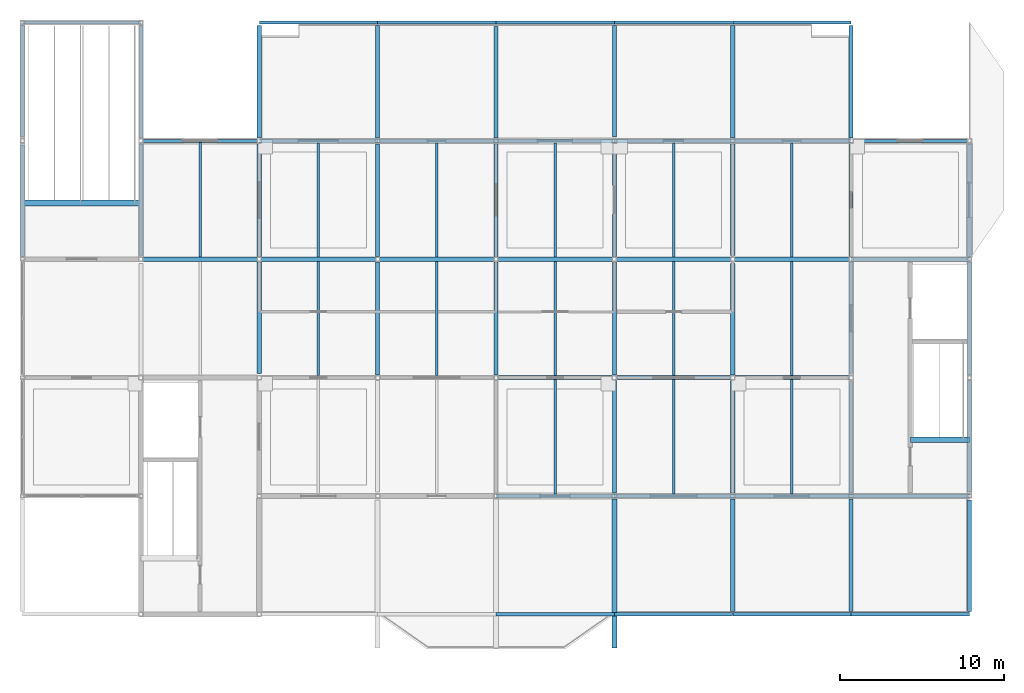
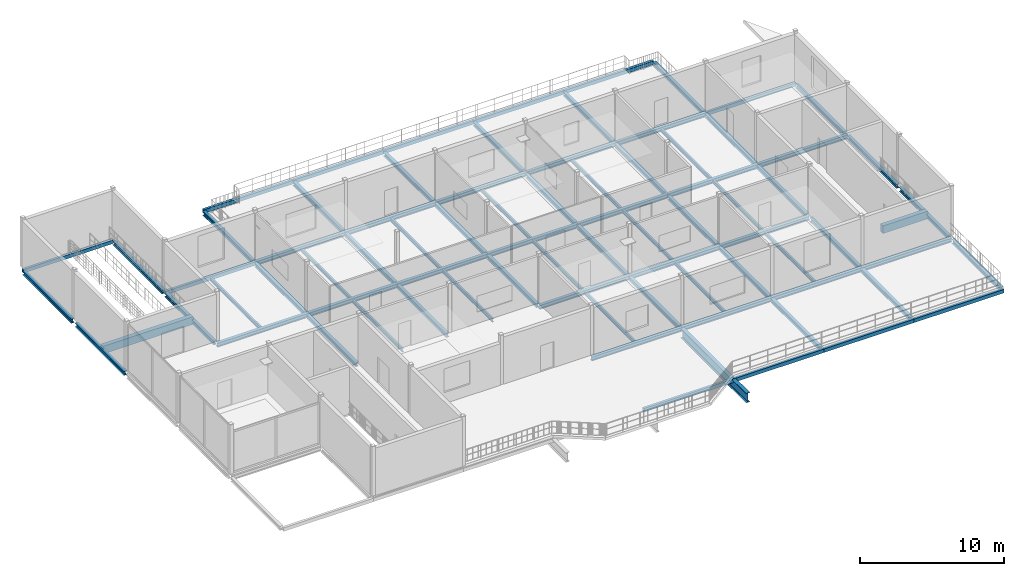
# One storey, part 10 of 18: 79 beams.
"""IFC4 building model written with IfcOpenShell, lengths in metres."""

from ifc_helpers import new_model, si_unit, direction, frame, origin, origin_2d, place, context, subcontext, project, spatial, rectangle, hollow_rectangle, i_section, extrude, material, material_profile, profile_set, type_object, element, save


model = new_model("IFC4")

# Units and contexts
model_context = context("Model", 3, precision=1e-05, world=origin(), true_north=direction((0.0, 1.0)))
body_context = subcontext(model_context, "Body", "Model", "MODEL_VIEW")
ifc_project = project(units=[si_unit("LENGTHUNIT", "METRE"), si_unit("AREAUNIT", "SQUARE_METRE"), si_unit("VOLUMEUNIT", "CUBIC_METRE"), si_unit("PLANEANGLEUNIT", "RADIAN"), si_unit("MASSUNIT", "GRAM", prefix="KILO")], contexts=[model_context])

# Site, building, storey
site_placement = place(None, origin())
site = spatial("IfcSite", under=ifc_project, at=site_placement, CompositionType="ELEMENT")
building_placement = place(site_placement, origin())
building = spatial("IfcBuilding", under=site, at=building_placement, Name="Vesperath Aquatics Centre", CompositionType="ELEMENT")
storey_placement = place(building_placement, frame((0.0, 0.0, 23.39990234375)))
storey = spatial("IfcBuildingStorey", under=building, at=storey_placement, Name="L05", CompositionType="ELEMENT", Elevation=23.39990234375)

# Beams
ifc_material_1 = material(Name="Concrete C35", Category="concrete")
ifc_material_profile_1 = material_profile(ifc_material_1, rectangle(XDim=0.35009765625, YDim=0.64990234375, at=origin_2d()), Name="RC 350x650")
ifc_profile_set_1 = profile_set([ifc_material_profile_1], Name="Concrete C35")
beam_type_1 = type_object("IfcBeamType", Name="BM-G05", PredefinedType="BEAM", material=ifc_profile_set_1)
beam_1_placement = place(storey_placement, frame((169.199951171875, 10.6201171875, -0.324951171875), z_axis=(1.0, 0.0, 0.0), x_axis=(0.0, 1.0, 0.0)))
element("IfcBeam", 1, at=beam_1_placement, inside=storey, type_object=beam_type_1, Name="Stair ST6 Landing Trimmer Beam B05 L05", PredefinedType="BEAM", context=body_context, shape_type="SweptSolid", body=[
    extrude(rectangle(XDim=0.35009765625, YDim=0.64990234375, at=origin_2d()), origin(), (0.0, 0.0, 1.0), 3.60009765625),
])
beam_2_placement = place(storey_placement, frame((115.199951171875, 25.02001953125, -0.324951171875), z_axis=(1.0, 0.0, 0.0), x_axis=(0.0, 1.0, 0.0)))
element("IfcBeam", 2, at=beam_2_placement, inside=storey, type_object=beam_type_1, Name="Stair ST7 Landing Trimmer Beam B05 L05", PredefinedType="BEAM", context=body_context, shape_type="SweptSolid", body=[
    extrude(rectangle(XDim=0.35009765625, YDim=0.64990234375, at=origin_2d()), origin(), (0.0, 0.0, 1.0), 7.199951171875),
])
ifc_material_2 = material(Name="Steel Q355D", Category="steel")
ifc_material_profile_2 = material_profile(ifc_material_2, i_section(OverallWidth=0.300048828125, OverallDepth=0.800048828125, WebThickness=0.013916015625, FlangeThickness=0.02587890625, FilletRadius=0.028076171875, at=origin_2d()), Name="HN 800x300x14x26")
ifc_profile_set_2 = profile_set([ifc_material_profile_2], Name="Steel Q355D")
beam_type_2 = type_object("IfcBeamType", Name="BM-G07", PredefinedType="BEAM", material=ifc_profile_set_2)
beam_3_placement = place(storey_placement, frame((151.199951171875, -2.050048828125, -0.619873046875), z_axis=(0.0, 1.0, 0.0), x_axis=(-1.0, 0.0, 0.0)))
element("IfcBeam", 3, at=beam_3_placement, inside=storey, type_object=beam_type_2, Name="Floor Girder B07 L05 22 A-B", PredefinedType="BEAM", context=body_context, shape_type="SweptSolid", body=[
    extrude(i_section(OverallWidth=0.300048828125, OverallDepth=0.800048828125, WebThickness=0.013916015625, FlangeThickness=0.02587890625, FilletRadius=0.028076171875, at=origin_2d()), origin(), (0.0, 0.0, 1.0), 9.074951171875),
])
ifc_material_3 = material(Name="Steel Q355C", Category="steel")
ifc_material_profile_3 = material_profile(ifc_material_3, i_section(OverallWidth=0.25, OverallDepth=0.340087890625, WebThickness=0.009033203125, FlangeThickness=0.013916015625, FilletRadius=0.02001953125, at=origin_2d()), Name="HM 340x250x9x14")
ifc_profile_set_3 = profile_set([ifc_material_profile_3], Name="Steel Q355C")
beam_type_3 = type_object("IfcBeamType", Name="BM-G12", PredefinedType="BEAM", material=ifc_profile_set_3)
beam_4_placement = place(storey_placement, frame((122.405517578125, 21.60009765625, -0.389892578125), z_axis=(1.0, 0.0, 0.0), x_axis=(0.0, 1.0, 0.0)))
element("IfcBeam", 4, at=beam_4_placement, inside=storey, type_object=beam_type_3, Name="Floor Girder B12 L05 D 18-19", PredefinedType="BEAM", context=body_context, shape_type="SweptSolid", body=[
    extrude(i_section(OverallWidth=0.25, OverallDepth=0.340087890625, WebThickness=0.009033203125, FlangeThickness=0.013916015625, FilletRadius=0.02001953125, at=origin_2d()), origin(), (0.0, 0.0, 1.0), 7.1884765625),
])
for number, where, z_axis, x_axis, name in (
    (5, (129.60595703125, 21.60009765625, -0.389892578125), (1.0, 0.0, 0.0), (0.0, 1.0, 0.0), "Floor Girder B12 L05 D 19-20"),
    (6, (129.60595703125, 28.800048828125, -0.389892578125), (1.0, 0.0, 0.0), (0.0, 1.0, 0.0), "Floor Girder B12 L05 E 19-20"),
    (7, (136.805908203125, 21.60009765625, -0.389892578125), (1.0, 0.0, 0.0), (0.0, 1.0, 0.0), "Floor Girder B12 L05 D 20-21"),
    (8, (136.805908203125, 28.800048828125, -0.389892578125), (1.0, 0.0, 0.0), (0.0, 1.0, 0.0), "Floor Girder B12 L05 E 20-21"),
    (9, (144.006103515625, 7.199951171875, -0.389892578125), (1.0, 0.0, 0.0), (0.0, 1.0, 0.0), "Floor Girder B12 L05 B 21-22"),
    (10, (144.006103515625, 14.39990234375, -0.389892578125), (1.0, 0.0, 0.0), (0.0, 1.0, 0.0), "Floor Girder B12 L05 C 21-22"),
    (11, (144.006103515625, 21.60009765625, -0.389892578125), (1.0, 0.0, 0.0), (0.0, 1.0, 0.0), "Floor Girder B12 L05 D 21-22"),
):
    element("IfcBeam", number, at=place(storey_placement, frame(where, z_axis=z_axis, x_axis=x_axis)), inside=storey, type_object=beam_type_3, Name=name, PredefinedType="BEAM", context=body_context, shape_type="SweptSolid", body=[
        extrude(i_section(OverallWidth=0.25, OverallDepth=0.340087890625, WebThickness=0.009033203125, FlangeThickness=0.013916015625, FilletRadius=0.02001953125, at=origin_2d()), origin(), (0.0, 0.0, 1.0), 7.18798828125),
    ])
beam_5_placement = place(storey_placement, frame((144.006103515625, 28.800048828125, -0.389892578125), z_axis=(1.0, 0.0, 0.0), x_axis=(0.0, 1.0, 0.0)))
element("IfcBeam", 12, at=beam_5_placement, inside=storey, type_object=beam_type_3, Name="Floor Girder B12 L05 E 21-22", PredefinedType="BEAM", context=body_context, shape_type="SweptSolid", body=[
    extrude(i_section(OverallWidth=0.25, OverallDepth=0.340087890625, WebThickness=0.009033203125, FlangeThickness=0.013916015625, FilletRadius=0.02001953125, at=origin_2d()), origin(), (0.0, 0.0, 1.0), 7.1884765625),
])
for number, where, z_axis, x_axis, name in (
    (13, (151.2060546875, 7.199951171875, -0.389892578125), (1.0, 0.0, 0.0), (0.0, 1.0, 0.0), "Floor Girder B12 L05 B 22-23"),
    (14, (151.2060546875, 14.39990234375, -0.389892578125), (1.0, 0.0, 0.0), (0.0, 1.0, 0.0), "Floor Girder B12 L05 C 22-23"),
):
    element("IfcBeam", number, at=place(storey_placement, frame(where, z_axis=z_axis, x_axis=x_axis)), inside=storey, type_object=beam_type_3, Name=name, PredefinedType="BEAM", context=body_context, shape_type="SweptSolid", body=[
        extrude(i_section(OverallWidth=0.25, OverallDepth=0.340087890625, WebThickness=0.009033203125, FlangeThickness=0.013916015625, FilletRadius=0.02001953125, at=origin_2d()), origin(), (0.0, 0.0, 1.0), 7.18798828125),
    ])
for number, where, z_axis, x_axis, name in (
    (15, (151.2060546875, 21.60009765625, -0.389892578125), (1.0, 0.0, 0.0), (0.0, 1.0, 0.0), "Floor Girder B12 L05 D 22-23"),
    (16, (151.20556640625, 28.800048828125, -0.389892578125), (1.0, 0.0, 0.0), (0.0, 1.0, 0.0), "Floor Girder B12 L05 E 22-23"),
):
    element("IfcBeam", number, at=place(storey_placement, frame(where, z_axis=z_axis, x_axis=x_axis)), inside=storey, type_object=beam_type_3, Name=name, PredefinedType="BEAM", context=body_context, shape_type="SweptSolid", body=[
        extrude(i_section(OverallWidth=0.25, OverallDepth=0.340087890625, WebThickness=0.009033203125, FlangeThickness=0.013916015625, FilletRadius=0.02001953125, at=origin_2d()), origin(), (0.0, 0.0, 1.0), 7.1884765625),
    ])
beam_6_placement = place(storey_placement, frame((158.406005859375, 7.199951171875, -0.389892578125), z_axis=(1.0, 0.0, 0.0), x_axis=(0.0, 1.0, 0.0)))
element("IfcBeam", 17, at=beam_6_placement, inside=storey, type_object=beam_type_3, Name="Floor Girder B12 L05 B 23-24", PredefinedType="BEAM", context=body_context, shape_type="SweptSolid", body=[
    extrude(i_section(OverallWidth=0.25, OverallDepth=0.340087890625, WebThickness=0.009033203125, FlangeThickness=0.013916015625, FilletRadius=0.02001953125, at=origin_2d()), origin(), (0.0, 0.0, 1.0), 7.18798828125),
])
for number, where, z_axis, x_axis, name in (
    (18, (158.406005859375, 14.39990234375, -0.389892578125), (1.0, 0.0, 0.0), (0.0, 1.0, 0.0), "Floor Girder B12 L05 C 23-24"),
    (19, (158.405517578125, 21.60009765625, -0.389892578125), (1.0, 0.0, 0.0), (0.0, 1.0, 0.0), "Floor Girder B12 L05 D 23-24"),
):
    element("IfcBeam", number, at=place(storey_placement, frame(where, z_axis=z_axis, x_axis=x_axis)), inside=storey, type_object=beam_type_3, Name=name, PredefinedType="BEAM", context=body_context, shape_type="SweptSolid", body=[
        extrude(i_section(OverallWidth=0.25, OverallDepth=0.340087890625, WebThickness=0.009033203125, FlangeThickness=0.013916015625, FilletRadius=0.02001953125, at=origin_2d()), origin(), (0.0, 0.0, 1.0), 7.1884765625),
    ])
beam_7_placement = place(storey_placement, frame((158.406005859375, 28.800048828125, -0.389892578125), z_axis=(1.0, 0.0, 0.0), x_axis=(0.0, 1.0, 0.0)))
element("IfcBeam", 20, at=beam_7_placement, inside=storey, type_object=beam_type_3, Name="Floor Girder B12 L05 E 23-24", PredefinedType="BEAM", context=body_context, shape_type="SweptSolid", body=[
    extrude(i_section(OverallWidth=0.25, OverallDepth=0.340087890625, WebThickness=0.009033203125, FlangeThickness=0.013916015625, FilletRadius=0.02001953125, at=origin_2d()), origin(), (0.0, 0.0, 1.0), 7.18798828125),
])
beam_8_placement = place(storey_placement, frame((165.60595703125, 7.199951171875, -0.389892578125), z_axis=(1.0, 0.0, 0.0), x_axis=(0.0, 1.0, 0.0)))
element("IfcBeam", 21, at=beam_8_placement, inside=storey, type_object=beam_type_3, Name="Floor Girder B12 L05 B 24-25", PredefinedType="BEAM", context=body_context, shape_type="SweptSolid", body=[
    extrude(i_section(OverallWidth=0.25, OverallDepth=0.340087890625, WebThickness=0.009033203125, FlangeThickness=0.013916015625, FilletRadius=0.02001953125, at=origin_2d()), origin(), (0.0, 0.0, 1.0), 7.1884765625),
])
beam_9_placement = place(storey_placement, frame((165.60595703125, 21.60009765625, -0.389892578125), z_axis=(1.0, 0.0, 0.0), x_axis=(0.0, 1.0, 0.0)))
element("IfcBeam", 22, at=beam_9_placement, inside=storey, type_object=beam_type_3, Name="Floor Girder B12 L05 D 24-25", PredefinedType="BEAM", context=body_context, shape_type="SweptSolid", body=[
    extrude(i_section(OverallWidth=0.25, OverallDepth=0.340087890625, WebThickness=0.009033203125, FlangeThickness=0.013916015625, FilletRadius=0.02001953125, at=origin_2d()), origin(), (0.0, 0.0, 1.0), 7.18798828125),
])
for number, where, z_axis, x_axis, name in (
    (23, (115.199951171875, 21.77490234375, -0.389892578125), (0.0, 1.0, 0.0), (-1.0, 0.0, 0.0), "Floor Girder B12 L05 17 D-E"),
    (24, (115.199951171875, 29.0439453125, -0.389892578125), (0.0, 1.0, 0.0), (-1.0, 0.0, 0.0), "Floor Girder B12 L05 17 E-F"),
    (25, (122.39990234375, 21.843994140625, -0.389892578125), (0.0, 1.0, 0.0), (-1.0, 0.0, 0.0), "Floor Girder B12 L05 18 D-E"),
):
    element("IfcBeam", number, at=place(storey_placement, frame(where, z_axis=z_axis, x_axis=x_axis)), inside=storey, type_object=beam_type_3, Name=name, PredefinedType="BEAM", context=body_context, shape_type="SweptSolid", body=[
        extrude(i_section(OverallWidth=0.25, OverallDepth=0.340087890625, WebThickness=0.009033203125, FlangeThickness=0.013916015625, FilletRadius=0.02001953125, at=origin_2d()), origin(), (0.0, 0.0, 1.0), 6.781005859375),
    ])
beam_10_placement = place(storey_placement, frame((122.39990234375, 28.97509765625, -0.389892578125), z_axis=(0.0, 1.0, 0.0), x_axis=(-1.0, 0.0, 0.0)))
element("IfcBeam", 26, at=beam_10_placement, inside=storey, type_object=beam_type_3, Name="Floor Girder B12 L05 18 E-F", PredefinedType="BEAM", context=body_context, shape_type="SweptSolid", body=[
    extrude(i_section(OverallWidth=0.25, OverallDepth=0.340087890625, WebThickness=0.009033203125, FlangeThickness=0.013916015625, FilletRadius=0.02001953125, at=origin_2d()), origin(), (0.0, 0.0, 1.0), 6.849853515625),
])
beam_11_placement = place(storey_placement, frame((129.60009765625, 14.64404296875, -0.389892578125), z_axis=(0.0, 1.0, 0.0), x_axis=(-1.0, 0.0, 0.0)))
element("IfcBeam", 27, at=beam_11_placement, inside=storey, type_object=beam_type_3, Name="Floor Girder B12 L05 19 C-D", PredefinedType="BEAM", context=body_context, shape_type="SweptSolid", body=[
    extrude(i_section(OverallWidth=0.25, OverallDepth=0.340087890625, WebThickness=0.009033203125, FlangeThickness=0.013916015625, FilletRadius=0.02001953125, at=origin_2d()), origin(), (0.0, 0.0, 1.0), 6.781005859375),
])
beam_12_placement = place(storey_placement, frame((129.60009765625, 21.77490234375, -0.389892578125), z_axis=(0.0, 1.0, 0.0), x_axis=(-1.0, 0.0, 0.0)))
element("IfcBeam", 28, at=beam_12_placement, inside=storey, type_object=beam_type_3, Name="Floor Girder B12 L05 19 D-E", PredefinedType="BEAM", context=body_context, shape_type="SweptSolid", body=[
    extrude(i_section(OverallWidth=0.25, OverallDepth=0.340087890625, WebThickness=0.009033203125, FlangeThickness=0.013916015625, FilletRadius=0.02001953125, at=origin_2d()), origin(), (0.0, 0.0, 1.0), 6.85009765625),
])
beam_13_placement = place(storey_placement, frame((129.60009765625, 28.97509765625, -0.389892578125), z_axis=(0.0, 1.0, 0.0), x_axis=(-1.0, 0.0, 0.0)))
element("IfcBeam", 29, at=beam_13_placement, inside=storey, type_object=beam_type_3, Name="Floor Girder B12 L05 19 E-F", PredefinedType="BEAM", context=body_context, shape_type="SweptSolid", body=[
    extrude(i_section(OverallWidth=0.25, OverallDepth=0.340087890625, WebThickness=0.009033203125, FlangeThickness=0.013916015625, FilletRadius=0.02001953125, at=origin_2d()), origin(), (0.0, 0.0, 1.0), 6.849853515625),
])
for number, where, z_axis, x_axis, name in (
    (30, (136.800048828125, 14.574951171875, -0.389892578125), (0.0, 1.0, 0.0), (-1.0, 0.0, 0.0), "Floor Girder B12 L05 20 C-D"),
    (31, (136.800048828125, 21.77490234375, -0.389892578125), (0.0, 1.0, 0.0), (-1.0, 0.0, 0.0), "Floor Girder B12 L05 20 D-E"),
):
    element("IfcBeam", number, at=place(storey_placement, frame(where, z_axis=z_axis, x_axis=x_axis)), inside=storey, type_object=beam_type_3, Name=name, PredefinedType="BEAM", context=body_context, shape_type="SweptSolid", body=[
        extrude(i_section(OverallWidth=0.25, OverallDepth=0.340087890625, WebThickness=0.009033203125, FlangeThickness=0.013916015625, FilletRadius=0.02001953125, at=origin_2d()), origin(), (0.0, 0.0, 1.0), 6.85009765625),
    ])
beam_14_placement = place(storey_placement, frame((136.800048828125, 28.97509765625, -0.389892578125), z_axis=(0.0, 1.0, 0.0), x_axis=(-1.0, 0.0, 0.0)))
element("IfcBeam", 32, at=beam_14_placement, inside=storey, type_object=beam_type_3, Name="Floor Girder B12 L05 20 E-F", PredefinedType="BEAM", context=body_context, shape_type="SweptSolid", body=[
    extrude(i_section(OverallWidth=0.25, OverallDepth=0.340087890625, WebThickness=0.009033203125, FlangeThickness=0.013916015625, FilletRadius=0.02001953125, at=origin_2d()), origin(), (0.0, 0.0, 1.0), 6.849853515625),
])
for number, where, z_axis, x_axis, name in (
    (33, (144.0, 14.574951171875, -0.389892578125), (0.0, 1.0, 0.0), (-1.0, 0.0, 0.0), "Floor Girder B12 L05 21 C-D"),
    (34, (144.0, 21.77490234375, -0.389892578125), (0.0, 1.0, 0.0), (-1.0, 0.0, 0.0), "Floor Girder B12 L05 21 D-E"),
):
    element("IfcBeam", number, at=place(storey_placement, frame(where, z_axis=z_axis, x_axis=x_axis)), inside=storey, type_object=beam_type_3, Name=name, PredefinedType="BEAM", context=body_context, shape_type="SweptSolid", body=[
        extrude(i_section(OverallWidth=0.25, OverallDepth=0.340087890625, WebThickness=0.009033203125, FlangeThickness=0.013916015625, FilletRadius=0.02001953125, at=origin_2d()), origin(), (0.0, 0.0, 1.0), 6.85009765625),
    ])
beam_15_placement = place(storey_placement, frame((144.0, 28.97509765625, -0.389892578125), z_axis=(0.0, 1.0, 0.0), x_axis=(-1.0, 0.0, 0.0)))
element("IfcBeam", 35, at=beam_15_placement, inside=storey, type_object=beam_type_3, Name="Floor Girder B12 L05 21 E-F", PredefinedType="BEAM", context=body_context, shape_type="SweptSolid", body=[
    extrude(i_section(OverallWidth=0.25, OverallDepth=0.340087890625, WebThickness=0.009033203125, FlangeThickness=0.013916015625, FilletRadius=0.02001953125, at=origin_2d()), origin(), (0.0, 0.0, 1.0), 6.781005859375),
])
for number, where, z_axis, x_axis, name in (
    (36, (151.199951171875, 7.375, -0.389892578125), (0.0, 1.0, 0.0), (-1.0, 0.0, 0.0), "Floor Girder B12 L05 22 B-C"),
    (37, (151.199951171875, 14.574951171875, -0.389892578125), (0.0, 1.0, 0.0), (-1.0, 0.0, 0.0), "Floor Girder B12 L05 22 C-D"),
):
    element("IfcBeam", number, at=place(storey_placement, frame(where, z_axis=z_axis, x_axis=x_axis)), inside=storey, type_object=beam_type_3, Name=name, PredefinedType="BEAM", context=body_context, shape_type="SweptSolid", body=[
        extrude(i_section(OverallWidth=0.25, OverallDepth=0.340087890625, WebThickness=0.009033203125, FlangeThickness=0.013916015625, FilletRadius=0.02001953125, at=origin_2d()), origin(), (0.0, 0.0, 1.0), 6.85009765625),
    ])
for number, where, z_axis, x_axis, name in (
    (38, (151.199951171875, 21.77490234375, -0.389892578125), (0.0, 1.0, 0.0), (-1.0, 0.0, 0.0), "Floor Girder B12 L05 22 D-E"),
    (39, (151.199951171875, 29.0439453125, -0.389892578125), (0.0, 1.0, 0.0), (-1.0, 0.0, 0.0), "Floor Girder B12 L05 22 E-F"),
):
    element("IfcBeam", number, at=place(storey_placement, frame(where, z_axis=z_axis, x_axis=x_axis)), inside=storey, type_object=beam_type_3, Name=name, PredefinedType="BEAM", context=body_context, shape_type="SweptSolid", body=[
        extrude(i_section(OverallWidth=0.25, OverallDepth=0.340087890625, WebThickness=0.009033203125, FlangeThickness=0.013916015625, FilletRadius=0.02001953125, at=origin_2d()), origin(), (0.0, 0.0, 1.0), 6.781005859375),
    ])
beam_16_placement = place(storey_placement, frame((158.39990234375, 0.175048828125, -0.389892578125), z_axis=(0.0, 1.0, 0.0), x_axis=(-1.0, 0.0, 0.0)))
element("IfcBeam", 40, at=beam_16_placement, inside=storey, type_object=beam_type_3, Name="Floor Girder B12 L05 23 A-B", PredefinedType="BEAM", context=body_context, shape_type="SweptSolid", body=[
    extrude(i_section(OverallWidth=0.25, OverallDepth=0.340087890625, WebThickness=0.009033203125, FlangeThickness=0.013916015625, FilletRadius=0.02001953125, at=origin_2d()), origin(), (0.0, 0.0, 1.0), 6.849853515625),
])
beam_17_placement = place(storey_placement, frame((158.39990234375, 7.375, -0.389892578125), z_axis=(0.0, 1.0, 0.0), x_axis=(-1.0, 0.0, 0.0)))
element("IfcBeam", 41, at=beam_17_placement, inside=storey, type_object=beam_type_3, Name="Floor Girder B12 L05 23 B-C", PredefinedType="BEAM", context=body_context, shape_type="SweptSolid", body=[
    extrude(i_section(OverallWidth=0.25, OverallDepth=0.340087890625, WebThickness=0.009033203125, FlangeThickness=0.013916015625, FilletRadius=0.02001953125, at=origin_2d()), origin(), (0.0, 0.0, 1.0), 6.85009765625),
])
for number, where, z_axis, x_axis, name in (
    (42, (158.39990234375, 14.574951171875, -0.389892578125), (0.0, 1.0, 0.0), (-1.0, 0.0, 0.0), "Floor Girder B12 L05 23 C-D"),
    (43, (158.39990234375, 21.843994140625, -0.389892578125), (0.0, 1.0, 0.0), (-1.0, 0.0, 0.0), "Floor Girder B12 L05 23 D-E"),
):
    element("IfcBeam", number, at=place(storey_placement, frame(where, z_axis=z_axis, x_axis=x_axis)), inside=storey, type_object=beam_type_3, Name=name, PredefinedType="BEAM", context=body_context, shape_type="SweptSolid", body=[
        extrude(i_section(OverallWidth=0.25, OverallDepth=0.340087890625, WebThickness=0.009033203125, FlangeThickness=0.013916015625, FilletRadius=0.02001953125, at=origin_2d()), origin(), (0.0, 0.0, 1.0), 6.781005859375),
    ])
for number, where, z_axis, x_axis, name in (
    (44, (158.39990234375, 28.97509765625, -0.389892578125), (0.0, 1.0, 0.0), (-1.0, 0.0, 0.0), "Floor Girder B12 L05 23 E-F"),
    (45, (165.60009765625, 0.175048828125, -0.389892578125), (0.0, 1.0, 0.0), (-1.0, 0.0, 0.0), "Floor Girder B12 L05 24 A-B"),
):
    element("IfcBeam", number, at=place(storey_placement, frame(where, z_axis=z_axis, x_axis=x_axis)), inside=storey, type_object=beam_type_3, Name=name, PredefinedType="BEAM", context=body_context, shape_type="SweptSolid", body=[
        extrude(i_section(OverallWidth=0.25, OverallDepth=0.340087890625, WebThickness=0.009033203125, FlangeThickness=0.013916015625, FilletRadius=0.02001953125, at=origin_2d()), origin(), (0.0, 0.0, 1.0), 6.849853515625),
    ])
for number, where, z_axis, x_axis, name in (
    (46, (165.60009765625, 7.375, -0.389892578125), (0.0, 1.0, 0.0), (-1.0, 0.0, 0.0), "Floor Girder B12 L05 24 B-C"),
    (47, (165.60009765625, 14.64404296875, -0.389892578125), (0.0, 1.0, 0.0), (-1.0, 0.0, 0.0), "Floor Girder B12 L05 24 C-D"),
):
    element("IfcBeam", number, at=place(storey_placement, frame(where, z_axis=z_axis, x_axis=x_axis)), inside=storey, type_object=beam_type_3, Name=name, PredefinedType="BEAM", context=body_context, shape_type="SweptSolid", body=[
        extrude(i_section(OverallWidth=0.25, OverallDepth=0.340087890625, WebThickness=0.009033203125, FlangeThickness=0.013916015625, FilletRadius=0.02001953125, at=origin_2d()), origin(), (0.0, 0.0, 1.0), 6.781005859375),
    ])
beam_18_placement = place(storey_placement, frame((165.60009765625, 21.77490234375, -0.389892578125), z_axis=(0.0, 1.0, 0.0), x_axis=(-1.0, 0.0, 0.0)))
element("IfcBeam", 48, at=beam_18_placement, inside=storey, type_object=beam_type_3, Name="Floor Girder B12 L05 24 D-E", PredefinedType="BEAM", context=body_context, shape_type="SweptSolid", body=[
    extrude(i_section(OverallWidth=0.25, OverallDepth=0.340087890625, WebThickness=0.009033203125, FlangeThickness=0.013916015625, FilletRadius=0.02001953125, at=origin_2d()), origin(), (0.0, 0.0, 1.0), 6.85009765625),
])
beam_19_placement = place(storey_placement, frame((165.60009765625, 28.97509765625, -0.389892578125), z_axis=(0.0, 1.0, 0.0), x_axis=(-1.0, 0.0, 0.0)))
element("IfcBeam", 49, at=beam_19_placement, inside=storey, type_object=beam_type_3, Name="Floor Girder B12 L05 24 E-F", PredefinedType="BEAM", context=body_context, shape_type="SweptSolid", body=[
    extrude(i_section(OverallWidth=0.25, OverallDepth=0.340087890625, WebThickness=0.009033203125, FlangeThickness=0.013916015625, FilletRadius=0.02001953125, at=origin_2d()), origin(), (0.0, 0.0, 1.0), 6.849853515625),
])
for number, where, z_axis, x_axis, name in (
    (50, (172.800048828125, 0.175048828125, -0.389892578125), (0.0, 1.0, 0.0), (-1.0, 0.0, 0.0), "Floor Girder B12 L05 25 A-B"),
    (51, (172.800048828125, 7.444091796875, -0.389892578125), (0.0, 1.0, 0.0), (-1.0, 0.0, 0.0), "Floor Girder B12 L05 25 B-C"),
):
    element("IfcBeam", number, at=place(storey_placement, frame(where, z_axis=z_axis, x_axis=x_axis)), inside=storey, type_object=beam_type_3, Name=name, PredefinedType="BEAM", context=body_context, shape_type="SweptSolid", body=[
        extrude(i_section(OverallWidth=0.25, OverallDepth=0.340087890625, WebThickness=0.009033203125, FlangeThickness=0.013916015625, FilletRadius=0.02001953125, at=origin_2d()), origin(), (0.0, 0.0, 1.0), 6.781005859375),
    ])
for number, where, z_axis, x_axis, name in (
    (52, (172.800048828125, 14.574951171875, -0.389892578125), (0.0, 1.0, 0.0), (-1.0, 0.0, 0.0), "Floor Girder B12 L05 25 C-D"),
    (53, (172.800048828125, 21.77490234375, -0.389892578125), (0.0, 1.0, 0.0), (-1.0, 0.0, 0.0), "Floor Girder B12 L05 25 D-E"),
):
    element("IfcBeam", number, at=place(storey_placement, frame(where, z_axis=z_axis, x_axis=x_axis)), inside=storey, type_object=beam_type_3, Name=name, PredefinedType="BEAM", context=body_context, shape_type="SweptSolid", body=[
        extrude(i_section(OverallWidth=0.25, OverallDepth=0.340087890625, WebThickness=0.009033203125, FlangeThickness=0.013916015625, FilletRadius=0.02001953125, at=origin_2d()), origin(), (0.0, 0.0, 1.0), 6.85009765625),
    ])
ifc_material_profile_4 = material_profile(ifc_material_3, i_section(OverallWidth=0.14990234375, OverallDepth=0.300048828125, WebThickness=0.006591796875, FlangeThickness=0.009033203125, FilletRadius=0.012939453125, at=origin_2d()), Name="HN 300x150x6.5x9")
ifc_profile_set_4 = profile_set([ifc_material_profile_4], Name="Steel Q355C")
beam_type_4 = type_object("IfcBeamType", Name="BM-J06", PredefinedType="JOIST", material=ifc_profile_set_4)
beam_20_placement = place(storey_placement, frame((126.0, 21.72509765625, -0.369873046875), z_axis=(0.0, 1.0, 0.0), x_axis=(-1.0, 0.0, 0.0)))
element("IfcBeam", 54, at=beam_20_placement, inside=storey, type_object=beam_type_4, Name="Secondary Floor Joist J06 L05 18/D", PredefinedType="JOIST", context=body_context, shape_type="SweptSolid", body=[
    extrude(i_section(OverallWidth=0.14990234375, OverallDepth=0.300048828125, WebThickness=0.006591796875, FlangeThickness=0.009033203125, FilletRadius=0.012939453125, at=origin_2d()), origin(), (0.0, 0.0, 1.0), 6.974853515625),
])
beam_21_placement = place(storey_placement, frame((133.199951171875, 14.52490234375, -0.369873046875), z_axis=(0.0, 1.0, 0.0), x_axis=(-1.0, 0.0, 0.0)))
element("IfcBeam", 55, at=beam_21_placement, inside=storey, type_object=beam_type_4, Name="Secondary Floor Joist J06 L05 19/C", PredefinedType="JOIST", context=body_context, shape_type="SweptSolid", body=[
    extrude(i_section(OverallWidth=0.14990234375, OverallDepth=0.300048828125, WebThickness=0.006591796875, FlangeThickness=0.009033203125, FilletRadius=0.012939453125, at=origin_2d()), origin(), (0.0, 0.0, 1.0), 6.9501953125),
])
beam_22_placement = place(storey_placement, frame((133.199951171875, 21.72509765625, -0.369873046875), z_axis=(0.0, 1.0, 0.0), x_axis=(-1.0, 0.0, 0.0)))
element("IfcBeam", 56, at=beam_22_placement, inside=storey, type_object=beam_type_4, Name="Secondary Floor Joist J06 L05 19/D", PredefinedType="JOIST", context=body_context, shape_type="SweptSolid", body=[
    extrude(i_section(OverallWidth=0.14990234375, OverallDepth=0.300048828125, WebThickness=0.006591796875, FlangeThickness=0.009033203125, FilletRadius=0.012939453125, at=origin_2d()), origin(), (0.0, 0.0, 1.0), 6.949951171875),
])
beam_23_placement = place(storey_placement, frame((140.39990234375, 14.52490234375, -0.369873046875), z_axis=(0.0, 1.0, 0.0), x_axis=(-1.0, 0.0, 0.0)))
element("IfcBeam", 57, at=beam_23_placement, inside=storey, type_object=beam_type_4, Name="Secondary Floor Joist J06 L05 20/C", PredefinedType="JOIST", context=body_context, shape_type="SweptSolid", body=[
    extrude(i_section(OverallWidth=0.14990234375, OverallDepth=0.300048828125, WebThickness=0.006591796875, FlangeThickness=0.009033203125, FilletRadius=0.012939453125, at=origin_2d()), origin(), (0.0, 0.0, 1.0), 6.9501953125),
])
for number, where, z_axis, x_axis, name in (
    (58, (140.39990234375, 21.72509765625, -0.369873046875), (0.0, 1.0, 0.0), (-1.0, 0.0, 0.0), "Secondary Floor Joist J06 L05 20/D"),
    (59, (147.60009765625, 7.324951171875, -0.369873046875), (0.0, 1.0, 0.0), (-1.0, 0.0, 0.0), "Secondary Floor Joist J06 L05 21/B"),
):
    element("IfcBeam", number, at=place(storey_placement, frame(where, z_axis=z_axis, x_axis=x_axis)), inside=storey, type_object=beam_type_4, Name=name, PredefinedType="JOIST", context=body_context, shape_type="SweptSolid", body=[
        extrude(i_section(OverallWidth=0.14990234375, OverallDepth=0.300048828125, WebThickness=0.006591796875, FlangeThickness=0.009033203125, FilletRadius=0.012939453125, at=origin_2d()), origin(), (0.0, 0.0, 1.0), 6.949951171875),
    ])
beam_24_placement = place(storey_placement, frame((147.60009765625, 14.52490234375, -0.369873046875), z_axis=(0.0, 1.0, 0.0), x_axis=(-1.0, 0.0, 0.0)))
element("IfcBeam", 60, at=beam_24_placement, inside=storey, type_object=beam_type_4, Name="Secondary Floor Joist J06 L05 21/C", PredefinedType="JOIST", context=body_context, shape_type="SweptSolid", body=[
    extrude(i_section(OverallWidth=0.14990234375, OverallDepth=0.300048828125, WebThickness=0.006591796875, FlangeThickness=0.009033203125, FilletRadius=0.012939453125, at=origin_2d()), origin(), (0.0, 0.0, 1.0), 6.9501953125),
])
for number, where, z_axis, x_axis, name in (
    (61, (147.60009765625, 21.72509765625, -0.369873046875), (0.0, 1.0, 0.0), (-1.0, 0.0, 0.0), "Secondary Floor Joist J06 L05 21/D"),
    (62, (154.800048828125, 7.324951171875, -0.369873046875), (0.0, 1.0, 0.0), (-1.0, 0.0, 0.0), "Secondary Floor Joist J06 L05 22/B"),
):
    element("IfcBeam", number, at=place(storey_placement, frame(where, z_axis=z_axis, x_axis=x_axis)), inside=storey, type_object=beam_type_4, Name=name, PredefinedType="JOIST", context=body_context, shape_type="SweptSolid", body=[
        extrude(i_section(OverallWidth=0.14990234375, OverallDepth=0.300048828125, WebThickness=0.006591796875, FlangeThickness=0.009033203125, FilletRadius=0.012939453125, at=origin_2d()), origin(), (0.0, 0.0, 1.0), 6.949951171875),
    ])
beam_25_placement = place(storey_placement, frame((154.800048828125, 14.52490234375, -0.369873046875), z_axis=(0.0, 1.0, 0.0), x_axis=(-1.0, 0.0, 0.0)))
element("IfcBeam", 63, at=beam_25_placement, inside=storey, type_object=beam_type_4, Name="Secondary Floor Joist J06 L05 22/C", PredefinedType="JOIST", context=body_context, shape_type="SweptSolid", body=[
    extrude(i_section(OverallWidth=0.14990234375, OverallDepth=0.300048828125, WebThickness=0.006591796875, FlangeThickness=0.009033203125, FilletRadius=0.012939453125, at=origin_2d()), origin(), (0.0, 0.0, 1.0), 6.9501953125),
])
for number, where, z_axis, x_axis, name in (
    (64, (154.800048828125, 21.72509765625, -0.369873046875), (0.0, 1.0, 0.0), (-1.0, 0.0, 0.0), "Secondary Floor Joist J06 L05 22/D"),
    (65, (162.0, 7.324951171875, -0.369873046875), (0.0, 1.0, 0.0), (-1.0, 0.0, 0.0), "Secondary Floor Joist J06 L05 23/B"),
):
    element("IfcBeam", number, at=place(storey_placement, frame(where, z_axis=z_axis, x_axis=x_axis)), inside=storey, type_object=beam_type_4, Name=name, PredefinedType="JOIST", context=body_context, shape_type="SweptSolid", body=[
        extrude(i_section(OverallWidth=0.14990234375, OverallDepth=0.300048828125, WebThickness=0.006591796875, FlangeThickness=0.009033203125, FilletRadius=0.012939453125, at=origin_2d()), origin(), (0.0, 0.0, 1.0), 6.949951171875),
    ])
beam_26_placement = place(storey_placement, frame((162.0, 14.52490234375, -0.369873046875), z_axis=(0.0, 1.0, 0.0), x_axis=(-1.0, 0.0, 0.0)))
element("IfcBeam", 66, at=beam_26_placement, inside=storey, type_object=beam_type_4, Name="Secondary Floor Joist J06 L05 23/C", PredefinedType="JOIST", context=body_context, shape_type="SweptSolid", body=[
    extrude(i_section(OverallWidth=0.14990234375, OverallDepth=0.300048828125, WebThickness=0.006591796875, FlangeThickness=0.009033203125, FilletRadius=0.012939453125, at=origin_2d()), origin(), (0.0, 0.0, 1.0), 6.9501953125),
])
beam_27_placement = place(storey_placement, frame((162.0, 21.72509765625, -0.369873046875), z_axis=(0.0, 1.0, 0.0), x_axis=(-1.0, 0.0, 0.0)))
element("IfcBeam", 67, at=beam_27_placement, inside=storey, type_object=beam_type_4, Name="Secondary Floor Joist J06 L05 23/D", PredefinedType="JOIST", context=body_context, shape_type="SweptSolid", body=[
    extrude(i_section(OverallWidth=0.14990234375, OverallDepth=0.300048828125, WebThickness=0.006591796875, FlangeThickness=0.009033203125, FilletRadius=0.012939453125, at=origin_2d()), origin(), (0.0, 0.0, 1.0), 6.949951171875),
])
ifc_material_profile_5 = material_profile(ifc_material_3, hollow_rectangle(XDim=0.199951171875, YDim=0.300048828125, WallThickness=0.010009765625, at=origin_2d()), Name="RHS 300x200x10")
ifc_profile_set_5 = profile_set([ifc_material_profile_5], Name="Steel Q355C")
beam_type_5 = type_object("IfcBeamType", Name="BM-LN02", PredefinedType="LINTEL", material=ifc_profile_set_5)
for number, where, z_axis, x_axis, name in (
    (68, (115.2060546875, 36.0, -0.369873046875), (1.0, 0.0, 0.0), (0.0, 1.0, 0.0), "Floor Girder LN02 L05 F 17-18"),
    (69, (122.406005859375, 28.800048828125, -0.369873046875), (1.0, 0.0, 0.0), (0.0, 1.0, 0.0), "Floor Girder LN02 L05 E 18-19"),
    (70, (129.60595703125, 36.0, -0.369873046875), (1.0, 0.0, 0.0), (0.0, 1.0, 0.0), "Floor Girder LN02 L05 F 19-20"),
):
    element("IfcBeam", number, at=place(storey_placement, frame(where, z_axis=z_axis, x_axis=x_axis)), inside=storey, type_object=beam_type_5, Name=name, PredefinedType="LINTEL", context=body_context, shape_type="SweptSolid", body=[
        extrude(hollow_rectangle(XDim=0.199951171875, YDim=0.300048828125, WallThickness=0.010009765625, at=origin_2d()), origin(), (0.0, 0.0, 1.0), 7.18798828125),
    ])
for number, where, z_axis, x_axis, name in (
    (71, (136.805908203125, 36.0, -0.369873046875), (1.0, 0.0, 0.0), (0.0, 1.0, 0.0), "Floor Girder LN02 L05 F 20-21"),
    (72, (144.005615234375, 0.0, -0.369873046875), (1.0, 0.0, 0.0), (0.0, 1.0, 0.0), "Floor Girder LN02 L05 A 21-22"),
    (73, (144.005615234375, 36.0, -0.369873046875), (1.0, 0.0, 0.0), (0.0, 1.0, 0.0), "Floor Girder LN02 L05 F 21-22"),
):
    element("IfcBeam", number, at=place(storey_placement, frame(where, z_axis=z_axis, x_axis=x_axis)), inside=storey, type_object=beam_type_5, Name=name, PredefinedType="LINTEL", context=body_context, shape_type="SweptSolid", body=[
        extrude(hollow_rectangle(XDim=0.199951171875, YDim=0.300048828125, WallThickness=0.010009765625, at=origin_2d()), origin(), (0.0, 0.0, 1.0), 7.1884765625),
    ])
for number, where, z_axis, x_axis, name in (
    (74, (151.2060546875, 0.0, -0.369873046875), (1.0, 0.0, 0.0), (0.0, 1.0, 0.0), "Floor Girder LN02 L05 A 22-23"),
    (75, (151.2060546875, 36.0, -0.369873046875), (1.0, 0.0, 0.0), (0.0, 1.0, 0.0), "Floor Girder LN02 L05 F 22-23"),
    (76, (158.406005859375, 0.0, -0.369873046875), (1.0, 0.0, 0.0), (0.0, 1.0, 0.0), "Floor Girder LN02 L05 A 23-24"),
    (77, (158.406005859375, 36.0, -0.369873046875), (1.0, 0.0, 0.0), (0.0, 1.0, 0.0), "Floor Girder LN02 L05 F 23-24"),
    (78, (165.60595703125, 0.0, -0.369873046875), (1.0, 0.0, 0.0), (0.0, 1.0, 0.0), "Floor Girder LN02 L05 A 24-25"),
    (79, (165.60595703125, 28.800048828125, -0.369873046875), (1.0, 0.0, 0.0), (0.0, 1.0, 0.0), "Floor Girder LN02 L05 E 24-25"),
):
    element("IfcBeam", number, at=place(storey_placement, frame(where, z_axis=z_axis, x_axis=x_axis)), inside=storey, type_object=beam_type_5, Name=name, PredefinedType="LINTEL", context=body_context, shape_type="SweptSolid", body=[
        extrude(hollow_rectangle(XDim=0.199951171875, YDim=0.300048828125, WallThickness=0.010009765625, at=origin_2d()), origin(), (0.0, 0.0, 1.0), 7.18798828125),
    ])

save(model, "model.ifc")
